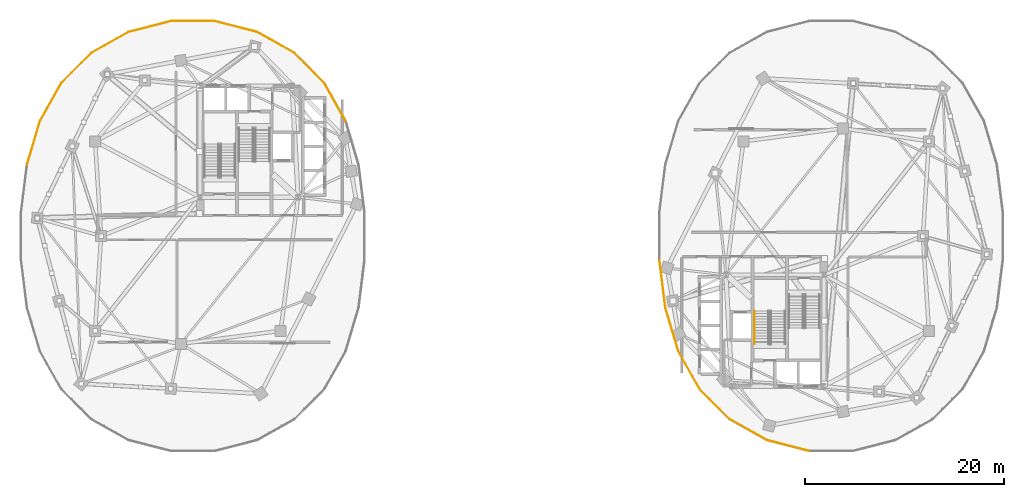
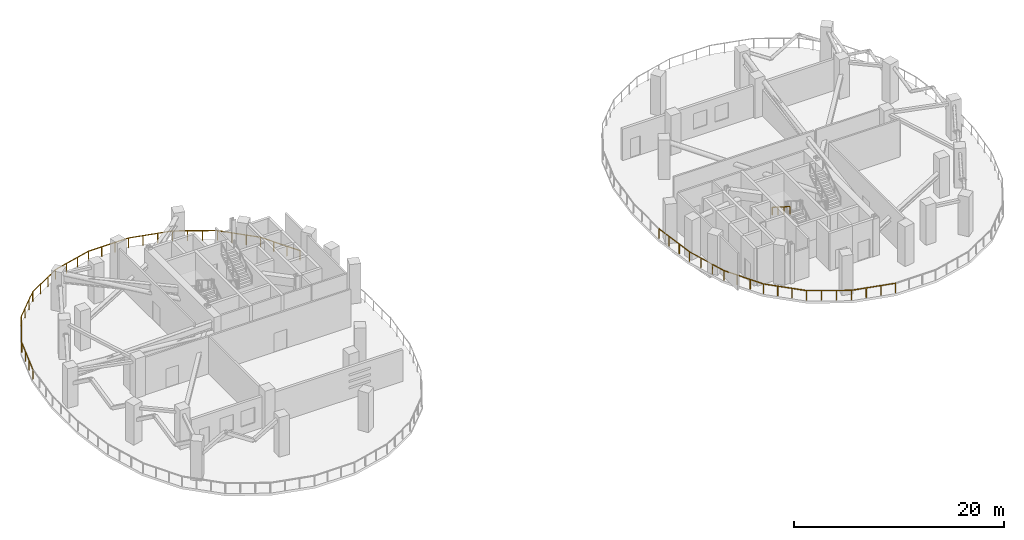
# One storey, part 10 of 12: 9 railings.
"""IFC4 building model written with IfcOpenShell, lengths in metres."""

import ifcopenshell
import ifcopenshell.guid

model = None  # the IFC model being written
_history = None  # IfcOwnerHistory: only IFC2X3 demands one
_inside = {}  # id of a spatial element -> (the spatial element, [elements in it])
_under = {}  # id of a project, library or spatial element -> (it, [spatial elements below it])
_declared = {}  # id of a project -> (the project, [libraries it declares])
_typed = {}  # id of a type object -> (the type object, [elements of that type])
_made_of = {}  # id of a material, layer set ... -> (it, [elements and type objects made of it])


def new_model(schema):
    """Start an empty IFC model of exactly this schema.

    Asked for "IFC4X3", IfcOpenShell would pick the latest addendum, in which some entities
    have other attributes; the version numbers below select the first issue.
    IFC2X3 requires an IfcOwnerHistory on every rooted entity: one is made here for all.
    """
    global model, _history
    if schema == "IFC4X3":
        model = ifcopenshell.file(schema_version=(4, 3, 0, 0))
    else:
        model = ifcopenshell.file(schema=schema)
    _inside.clear()
    _under.clear()
    _declared.clear()
    _typed.clear()
    _made_of.clear()
    _history = None
    if model.schema == "IFC2X3":
        org = make("IfcOrganization", Name="unknown")
        user = make(
            "IfcPersonAndOrganization",
            ThePerson=make("IfcPerson", FamilyName="unknown"),
            TheOrganization=org,
        )
        app = make(
            "IfcApplication",
            ApplicationDeveloper=org,
            Version="unknown",
            ApplicationFullName="unknown",
            ApplicationIdentifier="unknown",
        )
        _history = make(
            "IfcOwnerHistory",
            OwningUser=user,
            OwningApplication=app,
            ChangeAction="ADDED",
            CreationDate=0,
        )
    return model


def make(cls, **values):
    """One entity of the class cls with the attributes given. An attribute that is None is left unset."""
    return model.create_entity(
        cls, **{name: value for name, value in values.items() if value is not None}
    )


def rooted(cls, **values):
    """An entity with a GlobalId (a new one), such as an element, a storey or a relation."""
    return make(cls, GlobalId=ifcopenshell.guid.new(), OwnerHistory=_history, **values)


def si_unit(unit_type, name, prefix=None):
    """IfcSIUnit, for example si_unit("LENGTHUNIT", "METRE", prefix="MILLI")."""
    return make("IfcSIUnit", UnitType=unit_type, Prefix=prefix, Name=name)


def assignment(units):
    """IfcUnitAssignment: the units of a project."""
    return None if units is None else make("IfcUnitAssignment", Units=units)


def point(xyz):
    """IfcCartesianPoint."""
    return None if xyz is None else make("IfcCartesianPoint", Coordinates=xyz)


def direction(xyz):
    """IfcDirection."""
    return None if xyz is None else make("IfcDirection", DirectionRatios=xyz)


def frame(location, z_axis=None, x_axis=None):
    """IfcAxis2Placement3D, a coordinate frame: its origin and axes. An axis left out is left unset."""
    return make(
        "IfcAxis2Placement3D",
        Location=point(location),
        Axis=direction(z_axis),
        RefDirection=direction(x_axis),
    )


def frame_2d(location, x_axis=None):
    """IfcAxis2Placement2D, a coordinate frame in the plane: its origin and x axis."""
    return make(
        "IfcAxis2Placement2D", Location=point(location), RefDirection=direction(x_axis)
    )


def origin():
    """The frame at (0, 0, 0) with its axes left unset."""
    return frame((0.0, 0.0, 0.0))


def origin_2d():
    """The frame at (0, 0) in the plane with its x axis left unset."""
    return frame_2d((0.0, 0.0))


def place(relative_to, where):
    """IfcLocalPlacement: puts the frame where relative to a parent placement (None: the world)."""
    return make(
        "IfcLocalPlacement", PlacementRelTo=relative_to, RelativePlacement=where
    )


def context(
    kind, dimensions, precision=None, world=None, true_north=None, identifier=None
):
    """IfcGeometricRepresentationContext, for example the 3D "Model" context."""
    return make(
        "IfcGeometricRepresentationContext",
        ContextIdentifier=identifier,
        ContextType=kind,
        CoordinateSpaceDimension=dimensions,
        Precision=precision,
        WorldCoordinateSystem=world,
        TrueNorth=true_north,
    )


def subcontext(parent, identifier, kind, view, scale=None):
    """IfcGeometricRepresentationSubContext, for example "Body" below "Model"."""
    return make(
        "IfcGeometricRepresentationSubContext",
        ContextIdentifier=identifier,
        ContextType=kind,
        ParentContext=parent,
        TargetScale=scale,
        TargetView=view,
    )


def project(units=None, contexts=None):
    """IfcProject with its units and contexts."""
    return rooted(
        "IfcProject",
        Name="project",
        RepresentationContexts=contexts,
        UnitsInContext=assignment(units),
    )


def spatial(cls, under=None, at=None, **own):
    """A site, building, storey or space (cls), placed at a placement, below another one or the project."""
    s = rooted(cls, ObjectPlacement=at, **own)
    if under is not None:
        _under.setdefault(under.id(), (under, []))[1].append(s)
    return s


def profile(cls, at=None, kind="AREA", **sizes):
    """A parametric profile (cls). Its sizes go by their IFC names, for example OverallWidth=200.0."""
    return make(cls, ProfileType=kind, Position=at, **sizes)


def rectangle(**sizes):
    """IfcRectangleProfileDef."""
    return profile("IfcRectangleProfileDef", **sizes)


def extrude(swept, where, along, depth):
    """IfcExtrudedAreaSolid: the profile swept, set in the frame where, extruded along a direction by depth."""
    return make(
        "IfcExtrudedAreaSolid",
        SweptArea=swept,
        Position=where,
        ExtrudedDirection=direction(along),
        Depth=depth,
    )


def shape(context_of_items, identifier, shape_type, items):
    """IfcShapeRepresentation: the items that make up one representation, for example the "Body"."""
    return make(
        "IfcShapeRepresentation",
        ContextOfItems=context_of_items,
        RepresentationIdentifier=identifier,
        RepresentationType=shape_type,
        Items=items,
    )


def material(Name=None, Category=None):
    """IfcMaterial."""
    return make("IfcMaterial", Name=Name, Category=Category)


def made_of(thing, what):
    """Note that an element or type object is made of a material, layer set ...; save() writes the relation."""
    if what is not None:
        _made_of.setdefault(what.id(), (what, []))[1].append(thing)
    return thing


def type_object(cls, material=None, **own):
    """A type object (cls), such as IfcWallType, which elements share."""
    return made_of(rooted(cls, **own), material)


def element(
    cls,
    number,
    at=None,
    inside=None,
    cuts=None,
    type_object=None,
    material=None,
    context=None,
    identifier="Body",
    shape_type=None,
    held_by="IfcProductDefinitionShape",
    body=None,
    shapes=None,
    **own,
):
    """One element of the class cls, such as IfcWall. Its Tag is "e" and its number.

    at: its placement. inside: the storey or other place that contains it. cuts: it is an
    opening in that element (IfcRelVoidsElement). A single representation is given by context,
    identifier, shape_type and body (its items); several are given by shapes. held_by: the class
    of the entity that holds the representations. save() writes the other relations.
    """
    e = rooted(cls, Tag="e%d" % number, ObjectPlacement=at, **own)
    if body is not None:
        shapes = [shape(context, identifier, shape_type, body)]
    if shapes is not None:
        e.Representation = make(held_by, Representations=shapes)
    if inside is not None:
        _inside.setdefault(inside.id(), (inside, []))[1].append(e)
    if cuts is not None:
        rooted(
            "IfcRelVoidsElement", RelatingBuildingElement=cuts, RelatedOpeningElement=e
        )
    if type_object is not None:
        _typed.setdefault(type_object.id(), (type_object, []))[1].append(e)
    return made_of(e, material)


def aggregate(whole, parts):
    """IfcRelAggregates: a whole, such as a stair, and the parts it consists of."""
    return rooted("IfcRelAggregates", RelatingObject=whole, RelatedObjects=parts)


def save(model, path):
    """Write the relations noted so far, then the file.

    IfcRelAggregates (storeys below a building ...), IfcRelContainedInSpatialStructure (elements
    in a storey), IfcRelDefinesByType, IfcRelAssociatesMaterial and IfcRelDeclares: one each for
    every whole, place, type object, material and project.
    """
    for whole, parts in _under.values():
        aggregate(whole, parts)
    for where, things in _inside.values():
        rooted(
            "IfcRelContainedInSpatialStructure",
            RelatedElements=things,
            RelatingStructure=where,
        )
    for kind, things in _typed.values():
        rooted("IfcRelDefinesByType", RelatedObjects=things, RelatingType=kind)
    for what, things in _made_of.values():
        rooted("IfcRelAssociatesMaterial", RelatedObjects=things, RelatingMaterial=what)
    for by, libraries in _declared.values():
        rooted("IfcRelDeclares", RelatingContext=by, RelatedDefinitions=libraries)
    model.write(path)


model = new_model("IFC4")

# Units and contexts
model_context = context("Model", 3, precision=1e-05, world=origin(), true_north=direction((0.0, 1.0)))
body_context = subcontext(model_context, "Body", "Model", "MODEL_VIEW")
ifc_project = project(units=[si_unit("LENGTHUNIT", "METRE"), si_unit("AREAUNIT", "SQUARE_METRE"), si_unit("VOLUMEUNIT", "CUBIC_METRE"), si_unit("PLANEANGLEUNIT", "RADIAN"), si_unit("MASSUNIT", "GRAM", prefix="KILO"), si_unit("THERMODYNAMICTEMPERATUREUNIT", "KELVIN"), si_unit("POWERUNIT", "WATT")], contexts=[model_context])

# Site, building, storey
site_placement = place(None, origin())
site = spatial("IfcSite", under=ifc_project, at=site_placement, CompositionType="ELEMENT")
building_placement = place(site_placement, origin())
building = spatial("IfcBuilding", under=site, at=building_placement, Name="Cundina Bronze Exchange", CompositionType="ELEMENT")
storey_placement = place(building_placement, frame((0.0, 0.0, 132.199951171875)))
storey = spatial("IfcBuildingStorey", under=building, at=storey_placement, Name="L34", CompositionType="ELEMENT", Elevation=132.199951171875)

# Railings
ifc_material_1 = material(Name="Anodised Bronze Aluminium 6063-T6", Category="aluminium")
railing_type_1 = type_object("IfcRailingType", Name="RLG-GRD-1150", PredefinedType="GUARDRAIL", material=ifc_material_1)
railing_1_placement = place(storey_placement, frame((-48.6171875, 7.17529296875, 0.0)))
element("IfcRailing", 1, at=railing_1_placement, inside=storey, type_object=railing_type_1, Name="L34 Perimeter Safety Guardrail 09", PredefinedType="GUARDRAIL", context=body_context, shape_type="SweptSolid", body=[
    extrude(rectangle(XDim=0.048095703125, YDim=0.048095703125, at=origin_2d()), frame((0.0, 0.0, 1.1259765625), z_axis=(0.284864013169, 0.958567939168, 0.0), x_axis=(-0.958567939168, 0.284864013169, 0.0)), (0.0, 0.0, 1.0), 4.564697265625),
    extrude(rectangle(XDim=0.048095703125, YDim=0.048095703125, at=origin_2d()), frame((1.30029296875, 4.37548828125, 1.1259765625), z_axis=(0.491134584651, 0.871083704221, 0.0), x_axis=(-0.871083704221, 0.491134584651, 0.0)), (0.0, 0.0, 1.0), 4.35205078125),
    extrude(rectangle(XDim=0.0419921875, YDim=0.0419921875, at=origin_2d()), origin(), (0.0, 0.0, 1.0), 1.101806640625),
    extrude(rectangle(XDim=0.0419921875, YDim=0.0419921875, at=origin_2d()), frame((0.433349609375, 1.45849609375, 0.0)), (0.0, 0.0, 1.0), 1.101806640625),
    extrude(rectangle(XDim=0.0419921875, YDim=0.0419921875, at=origin_2d()), frame((0.866943359375, 2.9169921875, 0.0)), (0.0, 0.0, 1.0), 1.101806640625),
    extrude(rectangle(XDim=0.0419921875, YDim=0.0419921875, at=origin_2d()), frame((1.30029296875, 4.37548828125, 0.0)), (0.0, 0.0, 1.0), 1.101806640625),
    extrude(rectangle(XDim=0.0419921875, YDim=0.0419921875, at=origin_2d()), frame((2.0126953125, 5.63916015625, 0.0)), (0.0, 0.0, 1.0), 1.101806640625),
    extrude(rectangle(XDim=0.0419921875, YDim=0.0419921875, at=origin_2d()), frame((2.725341796875, 6.90283203125, 0.0)), (0.0, 0.0, 1.0), 1.101806640625),
    extrude(rectangle(XDim=0.0419921875, YDim=0.0419921875, at=origin_2d()), frame((3.437744140625, 8.16650390625, 0.0)), (0.0, 0.0, 1.0), 1.101806640625),
])
railing_2_placement = place(storey_placement, frame((-45.179443359375, 15.341796875, 0.0)))
element("IfcRailing", 2, at=railing_2_placement, inside=storey, type_object=railing_type_1, Name="L34 Perimeter Safety Guardrail 10", PredefinedType="GUARDRAIL", context=body_context, shape_type="SweptSolid", body=[
    extrude(rectangle(XDim=0.048095703125, YDim=0.048095703125, at=origin_2d()), frame((0.0, 0.0, 1.1259765625), z_axis=(0.705213293252, 0.70899521227, 0.0), x_axis=(-0.70899521227, 0.705213293252, 0.0)), (0.0, 0.0, 1.0), 4.260498046875),
    extrude(rectangle(XDim=0.048095703125, YDim=0.048095703125, at=origin_2d()), frame((3.004638671875, 3.020751953125, 1.1259765625), z_axis=(0.871962493313, 0.48957268128, 0.0), x_axis=(-0.48957268128, 0.871962493313, 0.0)), (0.0, 0.0, 1.0), 4.293701171875),
    extrude(rectangle(XDim=0.0419921875, YDim=0.0419921875, at=origin_2d()), origin(), (0.0, 0.0, 1.0), 1.101806640625),
    extrude(rectangle(XDim=0.0419921875, YDim=0.0419921875, at=origin_2d()), frame((1.00146484375, 1.0068359375, 0.0)), (0.0, 0.0, 1.0), 1.101806640625),
    extrude(rectangle(XDim=0.0419921875, YDim=0.0419921875, at=origin_2d()), frame((2.003173828125, 2.013916015625, 0.0)), (0.0, 0.0, 1.0), 1.101806640625),
    extrude(rectangle(XDim=0.0419921875, YDim=0.0419921875, at=origin_2d()), frame((3.004638671875, 3.020751953125, 0.0)), (0.0, 0.0, 1.0), 1.101806640625),
    extrude(rectangle(XDim=0.0419921875, YDim=0.0419921875, at=origin_2d()), frame((4.252685546875, 3.721435546875, 0.0)), (0.0, 0.0, 1.0), 1.101806640625),
    extrude(rectangle(XDim=0.0419921875, YDim=0.0419921875, at=origin_2d()), frame((5.50048828125, 4.422119140625, 0.0)), (0.0, 0.0, 1.0), 1.101806640625),
    extrude(rectangle(XDim=0.0419921875, YDim=0.0419921875, at=origin_2d()), frame((6.74853515625, 5.122802734375, 0.0)), (0.0, 0.0, 1.0), 1.101806640625),
])
railing_3_placement = place(storey_placement, frame((-38.430908203125, 20.464599609375, 0.0)))
element("IfcRailing", 3, at=railing_3_placement, inside=storey, type_object=railing_type_1, Name="L34 Perimeter Safety Guardrail 11", PredefinedType="GUARDRAIL", context=body_context, shape_type="SweptSolid", body=[
    extrude(rectangle(XDim=0.048095703125, YDim=0.048095703125, at=origin_2d()), frame((0.0, 0.0, 1.1259765625), z_axis=(0.969034209537, 0.246926508799, 0.0), x_axis=(-0.246926508799, 0.969034209537, 0.0)), (0.0, 0.0, 1.0), 4.3671875),
    extrude(rectangle(XDim=0.048095703125, YDim=0.048095703125, at=origin_2d()), frame((4.23193359375, 1.078369140625, 1.1259765625), z_axis=(1.0, 0.0, 0.0), x_axis=(0.0, 1.0, 0.0)), (0.0, 0.0, 1.0), 4.39794921875),
    extrude(rectangle(XDim=0.0419921875, YDim=0.0419921875, at=origin_2d()), origin(), (0.0, 0.0, 1.0), 1.101806640625),
    extrude(rectangle(XDim=0.0419921875, YDim=0.0419921875, at=origin_2d()), frame((1.41064453125, 0.359375, 0.0)), (0.0, 0.0, 1.0), 1.101806640625),
    extrude(rectangle(XDim=0.0419921875, YDim=0.0419921875, at=origin_2d()), frame((2.8212890625, 0.718994140625, 0.0)), (0.0, 0.0, 1.0), 1.101806640625),
    extrude(rectangle(XDim=0.0419921875, YDim=0.0419921875, at=origin_2d()), frame((4.23193359375, 1.078369140625, 0.0)), (0.0, 0.0, 1.0), 1.101806640625),
    extrude(rectangle(XDim=0.0419921875, YDim=0.0419921875, at=origin_2d()), frame((5.697998046875, 1.078369140625, 0.0)), (0.0, 0.0, 1.0), 1.101806640625),
    extrude(rectangle(XDim=0.0419921875, YDim=0.0419921875, at=origin_2d()), frame((7.163818359375, 1.078369140625, 0.0)), (0.0, 0.0, 1.0), 1.101806640625),
    extrude(rectangle(XDim=0.0419921875, YDim=0.0419921875, at=origin_2d()), frame((8.6298828125, 1.078369140625, 0.0)), (0.0, 0.0, 1.0), 1.101806640625),
])
railing_4_placement = place(storey_placement, frame((-29.801025390625, 21.54296875, 0.0)))
element("IfcRailing", 4, at=railing_4_placement, inside=storey, type_object=railing_type_1, Name="L34 Perimeter Safety Guardrail 12", PredefinedType="GUARDRAIL", context=body_context, shape_type="SweptSolid", body=[
    extrude(rectangle(XDim=0.048095703125, YDim=0.048095703125, at=origin_2d()), frame((0.0, 0.0, 1.1259765625), z_axis=(0.969034209537, -0.246926508799, 0.0), x_axis=(0.246926508799, 0.969034209537, 0.0)), (0.0, 0.0, 1.0), 4.3671875),
    extrude(rectangle(XDim=0.048095703125, YDim=0.048095703125, at=origin_2d()), frame((4.23193359375, -1.078369140625, 1.1259765625), z_axis=(0.871962493313, -0.48957268128, 0.0), x_axis=(0.48957268128, 0.871962493313, 0.0)), (0.0, 0.0, 1.0), 4.293701171875),
    extrude(rectangle(XDim=0.0419921875, YDim=0.0419921875, at=origin_2d()), origin(), (0.0, 0.0, 1.0), 1.101806640625),
    extrude(rectangle(XDim=0.0419921875, YDim=0.0419921875, at=origin_2d()), frame((1.41064453125, -0.359375, 0.0)), (0.0, 0.0, 1.0), 1.101806640625),
    extrude(rectangle(XDim=0.0419921875, YDim=0.0419921875, at=origin_2d()), frame((2.8212890625, -0.718994140625, 0.0)), (0.0, 0.0, 1.0), 1.101806640625),
    extrude(rectangle(XDim=0.0419921875, YDim=0.0419921875, at=origin_2d()), frame((4.23193359375, -1.078369140625, 0.0)), (0.0, 0.0, 1.0), 1.101806640625),
    extrude(rectangle(XDim=0.0419921875, YDim=0.0419921875, at=origin_2d()), frame((5.47998046875, -1.779052734375, 0.0)), (0.0, 0.0, 1.0), 1.101806640625),
    extrude(rectangle(XDim=0.0419921875, YDim=0.0419921875, at=origin_2d()), frame((6.727783203125, -2.479736328125, 0.0)), (0.0, 0.0, 1.0), 1.101806640625),
    extrude(rectangle(XDim=0.0419921875, YDim=0.0419921875, at=origin_2d()), frame((7.975830078125, -3.180419921875, 0.0)), (0.0, 0.0, 1.0), 1.101806640625),
])
railing_5_placement = place(storey_placement, frame((-21.8251953125, 18.362548828125, 0.0)))
element("IfcRailing", 5, at=railing_5_placement, inside=storey, type_object=railing_type_1, Name="L34 Perimeter Safety Guardrail 13", PredefinedType="GUARDRAIL", context=body_context, shape_type="SweptSolid", body=[
    extrude(rectangle(XDim=0.048095703125, YDim=0.048095703125, at=origin_2d()), frame((0.0, 0.0, 1.1259765625), z_axis=(0.705213293252, -0.70899521227, 0.0), x_axis=(0.70899521227, 0.705213293252, 0.0)), (0.0, 0.0, 1.0), 4.260498046875),
    extrude(rectangle(XDim=0.048095703125, YDim=0.048095703125, at=origin_2d()), frame((3.004638671875, -3.020751953125, 1.1259765625), z_axis=(0.491134584651, -0.871083704221, 0.0), x_axis=(0.871083704221, 0.491134584651, 0.0)), (0.0, 0.0, 1.0), 4.35205078125),
    extrude(rectangle(XDim=0.0419921875, YDim=0.0419921875, at=origin_2d()), origin(), (0.0, 0.0, 1.0), 1.101806640625),
    extrude(rectangle(XDim=0.0419921875, YDim=0.0419921875, at=origin_2d()), frame((1.00146484375, -1.0068359375, 0.0)), (0.0, 0.0, 1.0), 1.101806640625),
    extrude(rectangle(XDim=0.0419921875, YDim=0.0419921875, at=origin_2d()), frame((2.003173828125, -2.013916015625, 0.0)), (0.0, 0.0, 1.0), 1.101806640625),
    extrude(rectangle(XDim=0.0419921875, YDim=0.0419921875, at=origin_2d()), frame((3.004638671875, -3.020751953125, 0.0)), (0.0, 0.0, 1.0), 1.101806640625),
    extrude(rectangle(XDim=0.0419921875, YDim=0.0419921875, at=origin_2d()), frame((3.717041015625, -4.284423828125, 0.0)), (0.0, 0.0, 1.0), 1.101806640625),
    extrude(rectangle(XDim=0.0419921875, YDim=0.0419921875, at=origin_2d()), frame((4.4296875, -5.548095703125, 0.0)), (0.0, 0.0, 1.0), 1.101806640625),
    extrude(rectangle(XDim=0.0419921875, YDim=0.0419921875, at=origin_2d()), frame((5.14208984375, -6.811767578125, 0.0)), (0.0, 0.0, 1.0), 1.101806640625),
])
railing_6_placement = place(storey_placement, frame((29.801025390625, -21.54296875, 0.0)))
element("IfcRailing", 6, at=railing_6_placement, inside=storey, type_object=railing_type_1, Name="L34 Perimeter Safety Guardrail 05", PredefinedType="GUARDRAIL", context=body_context, shape_type="SweptSolid", body=[
    extrude(rectangle(XDim=0.048095703125, YDim=0.048095703125, at=origin_2d()), frame((0.0, 0.0, 1.1259765625), z_axis=(-0.969034209537, 0.246926508799, 0.0), x_axis=(-0.246926508799, -0.969034209537, 0.0)), (0.0, 0.0, 1.0), 4.3671875),
    extrude(rectangle(XDim=0.048095703125, YDim=0.048095703125, at=origin_2d()), frame((-4.23193359375, 1.078369140625, 1.1259765625), z_axis=(-0.871962493313, 0.48957268128, 0.0), x_axis=(-0.48957268128, -0.871962493313, 0.0)), (0.0, 0.0, 1.0), 4.293701171875),
    extrude(rectangle(XDim=0.0419921875, YDim=0.0419921875, at=origin_2d()), origin(), (0.0, 0.0, 1.0), 1.101806640625),
    extrude(rectangle(XDim=0.0419921875, YDim=0.0419921875, at=origin_2d()), frame((-1.41064453125, 0.359375, 0.0)), (0.0, 0.0, 1.0), 1.101806640625),
    extrude(rectangle(XDim=0.0419921875, YDim=0.0419921875, at=origin_2d()), frame((-2.8212890625, 0.718994140625, 0.0)), (0.0, 0.0, 1.0), 1.101806640625),
    extrude(rectangle(XDim=0.0419921875, YDim=0.0419921875, at=origin_2d()), frame((-4.23193359375, 1.078369140625, 0.0)), (0.0, 0.0, 1.0), 1.101806640625),
    extrude(rectangle(XDim=0.0419921875, YDim=0.0419921875, at=origin_2d()), frame((-5.47998046875, 1.779052734375, 0.0)), (0.0, 0.0, 1.0), 1.101806640625),
    extrude(rectangle(XDim=0.0419921875, YDim=0.0419921875, at=origin_2d()), frame((-6.727783203125, 2.479736328125, 0.0)), (0.0, 0.0, 1.0), 1.101806640625),
    extrude(rectangle(XDim=0.0419921875, YDim=0.0419921875, at=origin_2d()), frame((-7.975830078125, 3.180419921875, 0.0)), (0.0, 0.0, 1.0), 1.101806640625),
])
railing_7_placement = place(storey_placement, frame((21.8251953125, -18.362548828125, 0.0)))
element("IfcRailing", 7, at=railing_7_placement, inside=storey, type_object=railing_type_1, Name="L34 Perimeter Safety Guardrail 06", PredefinedType="GUARDRAIL", context=body_context, shape_type="SweptSolid", body=[
    extrude(rectangle(XDim=0.048095703125, YDim=0.048095703125, at=origin_2d()), frame((0.0, 0.0, 1.1259765625), z_axis=(-0.705213293252, 0.70899521227, 0.0), x_axis=(-0.70899521227, -0.705213293252, 0.0)), (0.0, 0.0, 1.0), 4.260498046875),
    extrude(rectangle(XDim=0.048095703125, YDim=0.048095703125, at=origin_2d()), frame((-3.004638671875, 3.020751953125, 1.1259765625), z_axis=(-0.491134584651, 0.871083704221, 0.0), x_axis=(-0.871083704221, -0.491134584651, 0.0)), (0.0, 0.0, 1.0), 4.35205078125),
    extrude(rectangle(XDim=0.0419921875, YDim=0.0419921875, at=origin_2d()), origin(), (0.0, 0.0, 1.0), 1.101806640625),
    extrude(rectangle(XDim=0.0419921875, YDim=0.0419921875, at=origin_2d()), frame((-1.00146484375, 1.0068359375, 0.0)), (0.0, 0.0, 1.0), 1.101806640625),
    extrude(rectangle(XDim=0.0419921875, YDim=0.0419921875, at=origin_2d()), frame((-2.003173828125, 2.013916015625, 0.0)), (0.0, 0.0, 1.0), 1.101806640625),
    extrude(rectangle(XDim=0.0419921875, YDim=0.0419921875, at=origin_2d()), frame((-3.004638671875, 3.020751953125, 0.0)), (0.0, 0.0, 1.0), 1.101806640625),
    extrude(rectangle(XDim=0.0419921875, YDim=0.0419921875, at=origin_2d()), frame((-3.717041015625, 4.284423828125, 0.0)), (0.0, 0.0, 1.0), 1.101806640625),
    extrude(rectangle(XDim=0.0419921875, YDim=0.0419921875, at=origin_2d()), frame((-4.4296875, 5.548095703125, 0.0)), (0.0, 0.0, 1.0), 1.101806640625),
    extrude(rectangle(XDim=0.0419921875, YDim=0.0419921875, at=origin_2d()), frame((-5.14208984375, 6.811767578125, 0.0)), (0.0, 0.0, 1.0), 1.101806640625),
])
railing_8_placement = place(storey_placement, frame((16.68310546875, -11.55078125, 0.0)))
element("IfcRailing", 8, at=railing_8_placement, inside=storey, type_object=railing_type_1, Name="L34 Perimeter Safety Guardrail 07", PredefinedType="GUARDRAIL", context=body_context, shape_type="SweptSolid", body=[
    extrude(rectangle(XDim=0.048095703125, YDim=0.048095703125, at=origin_2d()), frame((0.0, 0.0, 1.1259765625), z_axis=(-0.284864013169, 0.958567939168, 0.0), x_axis=(-0.958567939168, -0.284864013169, 0.0)), (0.0, 0.0, 1.0), 4.564697265625),
    extrude(rectangle(XDim=0.048095703125, YDim=0.048095703125, at=origin_2d()), frame((-1.30029296875, 4.37548828125, 1.1259765625), z_axis=(-0.123846086367, 0.992301439529, 0.0), x_axis=(-0.992301439529, -0.123846086367, 0.0)), (0.0, 0.0, 1.0), 4.778564453125),
    extrude(rectangle(XDim=0.0419921875, YDim=0.0419921875, at=origin_2d()), origin(), (0.0, 0.0, 1.0), 1.101806640625),
    extrude(rectangle(XDim=0.0419921875, YDim=0.0419921875, at=origin_2d()), frame((-0.433349609375, 1.45849609375, 0.0)), (0.0, 0.0, 1.0), 1.101806640625),
    extrude(rectangle(XDim=0.0419921875, YDim=0.0419921875, at=origin_2d()), frame((-0.866943359375, 2.9169921875, 0.0)), (0.0, 0.0, 1.0), 1.101806640625),
    extrude(rectangle(XDim=0.0419921875, YDim=0.0419921875, at=origin_2d()), frame((-1.30029296875, 4.37548828125, 0.0)), (0.0, 0.0, 1.0), 1.101806640625),
    extrude(rectangle(XDim=0.0419921875, YDim=0.0419921875, at=origin_2d()), frame((-1.49755859375, 5.9560546875, 0.0)), (0.0, 0.0, 1.0), 1.101806640625),
    extrude(rectangle(XDim=0.0419921875, YDim=0.0419921875, at=origin_2d()), frame((-1.69482421875, 7.53662109375, 0.0)), (0.0, 0.0, 1.0), 1.101806640625),
    extrude(rectangle(XDim=0.0419921875, YDim=0.0419921875, at=origin_2d()), frame((-1.89208984375, 9.1171875, 0.0)), (0.0, 0.0, 1.0), 1.101806640625),
])
ifc_material_2 = material(Name="Steel ASTM A36 Painted", Category="steel")
railing_type_2 = type_object("IfcRailingType", Name="RLG-HND-900", PredefinedType="HANDRAIL", material=ifc_material_2)
railing_9_placement = place(storey_placement, frame((24.330078125, -7.489990234375, 2.47705078125)))
element("IfcRailing", 9, at=railing_9_placement, inside=storey, type_object=railing_type_2, Name="L34 ST-E2 stair handrail 2", PredefinedType="HANDRAIL", context=body_context, shape_type="SweptSolid", body=[
    extrude(rectangle(XDim=0.048095703125, YDim=0.048095703125, at=origin_2d()), frame((0.0, 0.0, 0.8759765625), z_axis=(0.0, -0.845389635667, 0.534150132366), x_axis=(1.0, 0.0, 0.0)), (0.0, 0.0, 1.0), 3.974609375),
    extrude(rectangle(XDim=0.0419921875, YDim=0.0419921875, at=origin_2d()), origin(), (0.0, 0.0, 1.0), 0.851806640625),
    extrude(rectangle(XDim=0.0419921875, YDim=0.0419921875, at=origin_2d()), frame((0.0, -1.1201171875, 0.707763671875)), (0.0, 0.0, 1.0), 0.851806640625),
    extrude(rectangle(XDim=0.0419921875, YDim=0.0419921875, at=origin_2d()), frame((0.0, -2.239990234375, 1.415283203125)), (0.0, 0.0, 1.0), 0.851806640625),
    extrude(rectangle(XDim=0.0419921875, YDim=0.0419921875, at=origin_2d()), frame((0.0, -3.360107421875, 2.123046875)), (0.0, 0.0, 1.0), 0.851806640625),
])

save(model, "model.ifc")
